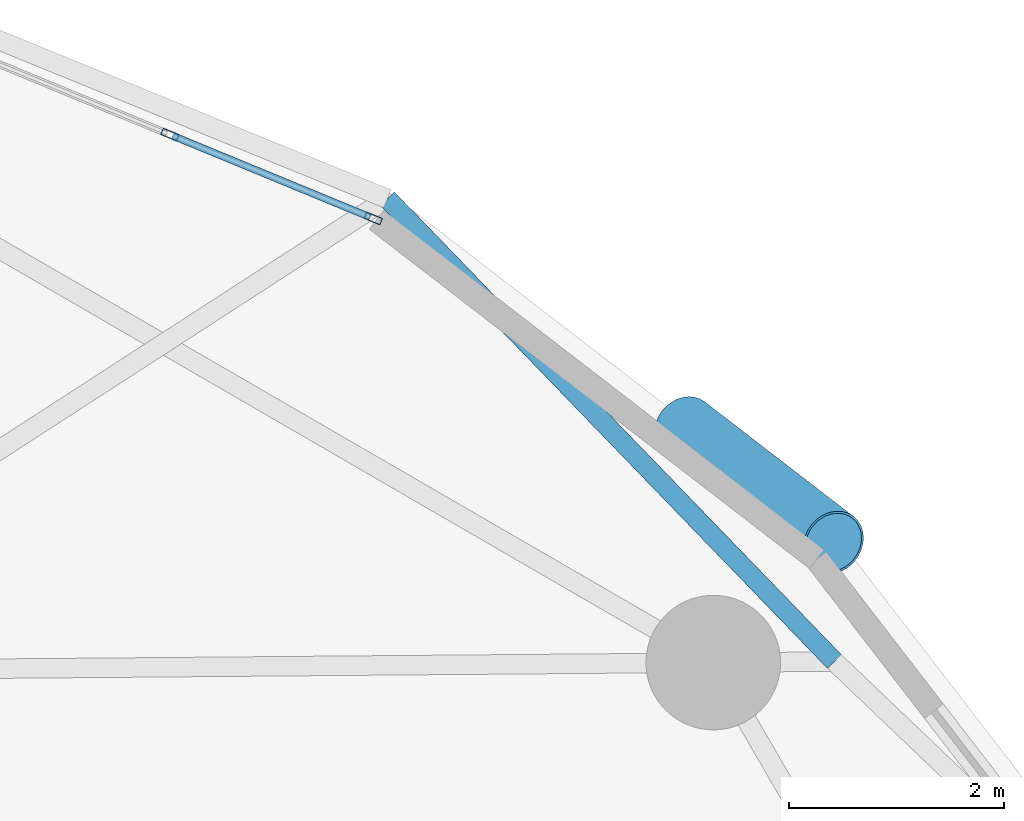
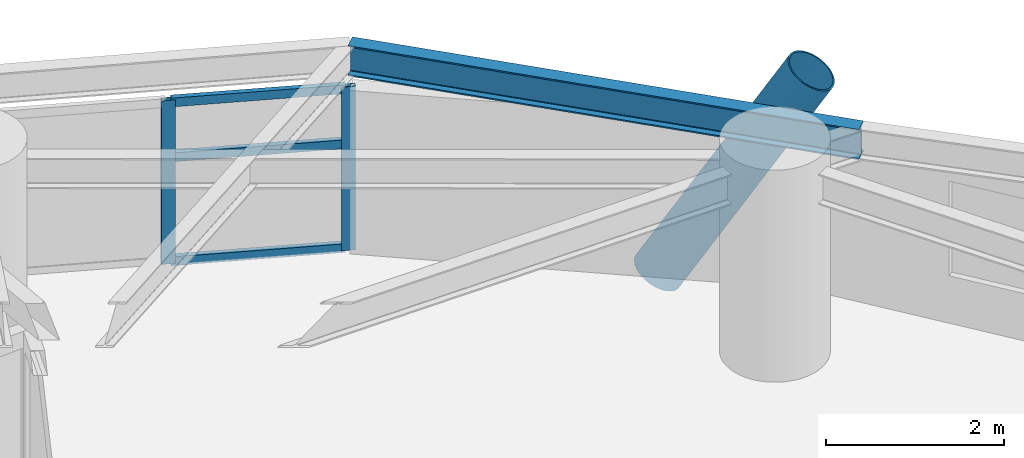
# One storey, part 5 of 17: 6 members, 1 beam, 1 element without a shape of its own.
"""IFC4 building model written with IfcOpenShell, lengths in metres."""

from ifc_helpers import new_model, si_unit, direction, frame, origin, origin_2d, place, context, subcontext, project, spatial, hollow_rectangle, hollow_circle, i_section, extrude, material, layer, layer_set, material_profile, profile_set, type_object, element, aggregate, save


model = new_model("IFC4")

# Units and contexts
model_context = context("Model", 3, precision=1e-05, world=origin(), true_north=direction((0.0, 1.0)))
body_context = subcontext(model_context, "Body", "Model", "MODEL_VIEW")
ifc_project = project(units=[si_unit("LENGTHUNIT", "METRE"), si_unit("AREAUNIT", "SQUARE_METRE"), si_unit("VOLUMEUNIT", "CUBIC_METRE"), si_unit("PLANEANGLEUNIT", "RADIAN"), si_unit("MASSUNIT", "GRAM", prefix="KILO")], contexts=[model_context])

# Site, building, storey
site_placement = place(None, origin())
site = spatial("IfcSite", under=ifc_project, at=site_placement, CompositionType="ELEMENT")
building_placement = place(site_placement, origin())
building = spatial("IfcBuilding", under=site, at=building_placement, Name="Cununo Teusaquillo Station Towers", CompositionType="ELEMENT")
storey_placement = place(building_placement, frame((0.0, 0.0, 183.610107421875)))
storey = spatial("IfcBuildingStorey", under=building, at=storey_placement, Name="L58", CompositionType="ELEMENT", Elevation=183.610107421875)

# Beam
ifc_material_1 = material(Name="Steel ASTM A572 Grade 50", Category="steel")
ifc_material_profile_1 = material_profile(ifc_material_1, i_section(OverallWidth=0.180908203125, OverallDepth=0.4169921875, WebThickness=0.010986328125, FlangeThickness=0.018310546875, FilletRadius=0.012939453125, at=origin_2d()), Name="W16X57")
ifc_profile_set_1 = profile_set([ifc_material_profile_1], Name="Steel ASTM A572 Grade 50")
beam_type = type_object("IfcBeamType", Name="BM-RING-Z3", PredefinedType="SPANDREL", material=ifc_profile_set_1)
beam_placement = place(storey_placement, frame((67.232666015625, 33.116455078125, 2.4814453125), z_axis=(-0.694791256552, 0.719211450005, 0.0), x_axis=(-0.719211450005, -0.694791256552, 0.0)))
element("IfcBeam", 1, at=beam_placement, inside=storey, type_object=beam_type, Name="L58 Tower B Spandrel Ring Beam 01", PredefinedType="SPANDREL", context=body_context, shape_type="SweptSolid", body=[
    extrude(i_section(OverallWidth=0.180908203125, OverallDepth=0.4169921875, WebThickness=0.010986328125, FlangeThickness=0.018310546875, FilletRadius=0.012939453125, at=origin_2d()), origin(), (0.0, 0.0, 1.0), 5.978515625),
])

# Curtain wall, members
ifc_material_2 = material(Name="Operable acoustic tinted low-E double glazing", Category="glass")
ifc_layer = layer(ifc_material_2, 0.179931640625)
ifc_layer_set = layer_set([ifc_layer], Name="Operable acoustic tinted low-E double glazing")
curtain_wall_type = type_object("IfcCurtainWallType", Name="CW-SYS-06", PredefinedType="USERDEFINED", material=ifc_layer_set)
curtain_wall_placement = place(storey_placement, origin())
curtain_wall = element("IfcCurtainWall", 2, at=curtain_wall_placement, inside=storey, type_object=curtain_wall_type, Name="L58 Tower B Facade Curtain Wall C01", ObjectType="OPERABLE GLAZING", PredefinedType="USERDEFINED")
ifc_material_3 = material(Name="Anodised dark bronze aluminium EN AW-6063-T6", Category="aluminium")
ifc_material_profile_2 = material_profile(ifc_material_3, hollow_rectangle(XDim=0.06494140625, YDim=0.159912109375, WallThickness=0.00390625, at=origin_2d()), Name="CW-MULL-65x160")
ifc_profile_set_2 = profile_set([ifc_material_profile_2], Name="Anodised dark bronze aluminium EN AW-6063-T6")
member_type_1 = type_object("IfcMemberType", Name="CWM-160", PredefinedType="MULLION", material=ifc_profile_set_2)
member_1_placement = place(storey_placement, frame((61.05908203125, 38.011962890625, 0.0), z_axis=(0.0, 0.0, 1.0), x_axis=(0.381229322376, 0.924480504803, 0.0)))
member_1 = element("IfcMember", 3, at=member_1_placement, type_object=member_type_1, Name="CW-06 mullion 2", PredefinedType="MULLION", context=body_context, shape_type="SweptSolid", body=[
    extrude(hollow_rectangle(XDim=0.06494140625, YDim=0.159912109375, WallThickness=0.00390625, at=origin_2d()), origin(), (0.0, 0.0, 1.0), 2.244873046875),
])
member_2_placement = place(storey_placement, frame((62.948974609375, 37.232666015625, 0.0), z_axis=(0.0, 0.0, 1.0), x_axis=(0.381229322376, 0.924480504803, 0.0)))
member_2 = element("IfcMember", 4, at=member_2_placement, type_object=member_type_1, Name="CW-06 mullion 3", PredefinedType="MULLION", context=body_context, shape_type="SweptSolid", body=[
    extrude(hollow_rectangle(XDim=0.06494140625, YDim=0.159912109375, WallThickness=0.00390625, at=origin_2d()), origin(), (0.0, 0.0, 1.0), 2.244873046875),
])
ifc_material_4 = material(Name="Anodised dark bronze aluminium EN AW-6063-T6", Category="aluminium")
ifc_material_profile_3 = material_profile(ifc_material_4, hollow_rectangle(XDim=0.06494140625, YDim=0.1201171875, WallThickness=0.00390625, at=origin_2d()), Name="CW-TRAN-65x120")
ifc_profile_set_3 = profile_set([ifc_material_profile_3], Name="Anodised dark bronze aluminium EN AW-6063-T6")
member_type_2 = type_object("IfcMemberType", Name="CWT-120", PredefinedType="USERDEFINED", material=ifc_profile_set_3)
member_3_placement = place(storey_placement, frame((61.089111328125, 37.99951171875, 0.032470703125), z_axis=(0.924450559311, -0.381301932056, 0.0), x_axis=(0.381301932056, 0.924450559311, 0.0)))
member_3 = element("IfcMember", 5, at=member_3_placement, type_object=member_type_2, Name="CW-06 transom 2.1", ObjectType="TRANSOM", PredefinedType="USERDEFINED", context=body_context, shape_type="SweptSolid", body=[
    extrude(hollow_rectangle(XDim=0.06494140625, YDim=0.1201171875, WallThickness=0.00390625, at=origin_2d()), origin(), (0.0, 0.0, 1.0), 1.97900390625),
])
member_4_placement = place(storey_placement, frame((61.089111328125, 37.99951171875, 1.458984375), z_axis=(0.924450559311, -0.381301932056, 0.0), x_axis=(0.381301932056, 0.924450559311, 0.0)))
member_4 = element("IfcMember", 6, at=member_4_placement, type_object=member_type_2, Name="CW-06 transom 2.2", ObjectType="TRANSOM", PredefinedType="USERDEFINED", context=body_context, shape_type="SweptSolid", body=[
    extrude(hollow_rectangle(XDim=0.06494140625, YDim=0.1201171875, WallThickness=0.00390625, at=origin_2d()), origin(), (0.0, 0.0, 1.0), 1.97900390625),
])
member_5_placement = place(storey_placement, frame((61.089111328125, 37.99951171875, 2.21240234375), z_axis=(0.924450559311, -0.381301932056, 0.0), x_axis=(0.381301932056, 0.924450559311, 0.0)))
member_5 = element("IfcMember", 7, at=member_5_placement, type_object=member_type_2, Name="CW-06 transom 2.3", ObjectType="TRANSOM", PredefinedType="USERDEFINED", context=body_context, shape_type="SweptSolid", body=[
    extrude(hollow_rectangle(XDim=0.06494140625, YDim=0.1201171875, WallThickness=0.00390625, at=origin_2d()), origin(), (0.0, 0.0, 1.0), 1.97900390625),
])
aggregate(curtain_wall, [member_1, member_2, member_3, member_4, member_5])

# Member
ifc_material_5 = material(Name="Steel EN 10025-2 S355J2", Category="steel")
ifc_material_profile_4 = material_profile(ifc_material_5, hollow_circle(Radius=0.304931640625, WallThickness=0.02001953125, at=origin_2d()), Name="CHS 610x20")
ifc_profile_set_4 = profile_set([ifc_material_profile_4], Name="Steel EN 10025-2 S355J2")
member_type_3 = type_object("IfcMemberType", Name="MBR-DIAG-Z3", PredefinedType="BRACE", material=ifc_profile_set_4)
member_6_placement = place(storey_placement, frame((65.841796875, 35.28759765625, -0.14013671875), z_axis=(0.407251191282, -0.313696402686, 0.857753480985), x_axis=(0.610231571438, 0.792223093087, 0.0)))
element("IfcMember", 8, at=member_6_placement, inside=storey, type_object=member_type_3, Name="L58 Tower B Folded-Zigzag Diagrid Tube C00", PredefinedType="BRACE", context=body_context, shape_type="SweptSolid", body=[
    extrude(hollow_circle(Radius=0.304931640625, WallThickness=0.02001953125, at=origin_2d()), origin(), (0.0, 0.0, 1.0), 3.392578125),
])

save(model, "model.ifc")
